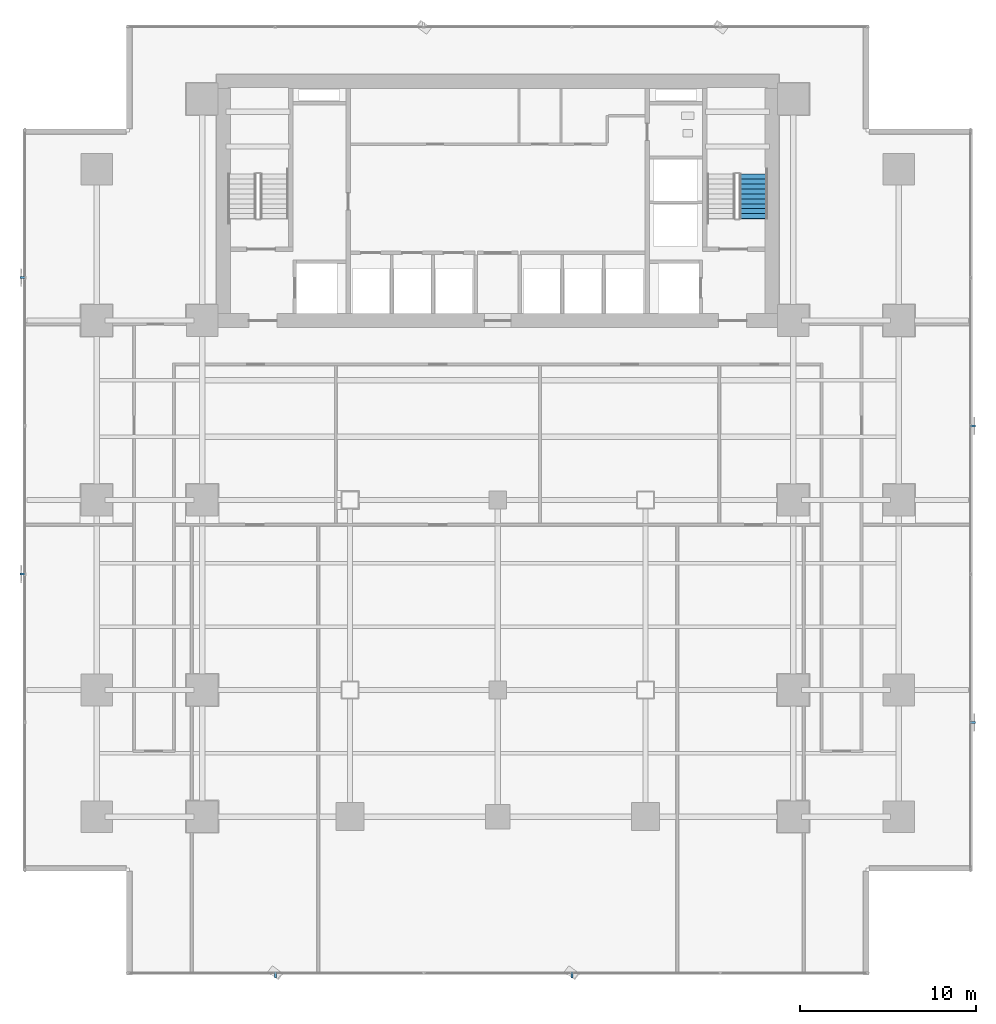
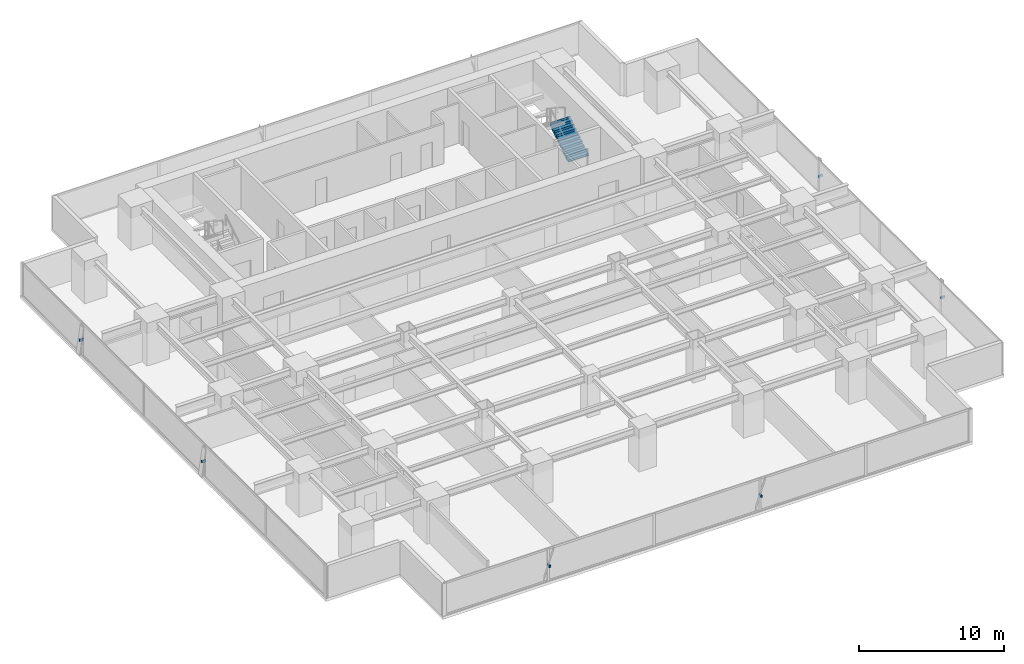
# One storey, part 26 of 32: 6 discrete accessories, 1 stair flight, 1 element without a shape of its own.
"""IFC4 building model written with IfcOpenShell, lengths in metres."""

from ifc_helpers import new_model, si_unit, direction, frame, origin, origin_2d, place, context, subcontext, project, spatial, polyline, rectangle, outline, extrude, source, transform, mapped, material, material_profile, profile_set, type_object, element, aggregate, save


model = new_model("IFC4")

# Units and contexts
model_context = context("Model", 3, precision=1e-05, world=origin(), true_north=direction((0.0, 1.0)))
body_context = subcontext(model_context, "Body", "Model", "MODEL_VIEW")
ifc_project = project(units=[si_unit("LENGTHUNIT", "METRE"), si_unit("AREAUNIT", "SQUARE_METRE"), si_unit("VOLUMEUNIT", "CUBIC_METRE"), si_unit("PLANEANGLEUNIT", "RADIAN"), si_unit("MASSUNIT", "GRAM", prefix="KILO")], contexts=[model_context])

# Site, building, storey
site_placement = place(None, origin())
site = spatial("IfcSite", under=ifc_project, at=site_placement, CompositionType="ELEMENT")
building_placement = place(site_placement, origin())
building = spatial("IfcBuilding", under=site, at=building_placement, Name="Sumidabori Civic Tower", CompositionType="ELEMENT")
storey_placement = place(building_placement, frame((0.0, 0.0, 45.199951171875)))
storey = spatial("IfcBuildingStorey", under=building, at=storey_placement, Name="L11", CompositionType="ELEMENT", Elevation=45.199951171875)

# Stair, stair flight
ifc_material_1 = material(Name="Concrete C40/50", Category="concrete")
stair_type = type_object("IfcStairType", Name="ST-CORE-1600", PredefinedType="HALF_TURN_STAIR", material=ifc_material_1)
stair_placement = place(storey_placement, origin())
stair = element("IfcStair", 1, at=stair_placement, inside=storey, type_object=stair_type, Name="L11 ST-2", PredefinedType="HALF_TURN_STAIR")
stair_flight_type = type_object("IfcStairFlightType", Name="SF-CORE-1600", PredefinedType="STRAIGHT", material=ifc_material_1)
shared_shape_1 = source(origin(), body_context, "Body", "SweptSolid", [
    extrude(outline(polyline([(-0.02490234375, 0.0), (-0.02490234375, 0.0400390625), (0.0, 0.0400390625), (0.0, 0.179931640625), (0.280029296875, 0.179931640625), (0.280029296875, 0.360107421875), (0.56005859375, 0.360107421875), (0.56005859375, 0.5400390625), (0.840087890625, 0.5400390625), (0.840087890625, 0.719970703125), (1.1201171875, 0.719970703125), (1.1201171875, 0.89990234375), (1.39990234375, 0.89990234375), (1.39990234375, 1.080078125), (1.679931640625, 1.080078125), (1.679931640625, 1.260009765625), (1.9599609375, 1.260009765625), (1.9599609375, 1.43994140625), (2.239990234375, 1.43994140625), (2.239990234375, 1.6201171875), (2.52001953125, 1.6201171875), (2.52001953125, 1.800048828125), (2.544921875, 1.800048828125), (2.544921875, 1.650146484375), (2.52001953125, 1.44189453125), (0.277099609375, 0.0), (-0.02490234375, 0.0)])), frame((0.0, 0.800048828125, 0.0), z_axis=(0.0, -1.0, 0.0), x_axis=(1.0, 0.0, 0.0)), (0.0, 0.0, 1.0), 1.60009765625),
])
stair_flight_placement = place(storey_placement, frame((14.5400390625, 16.0, 0.0), z_axis=(0.0, 0.0, 1.0), x_axis=(0.0, 1.0, 0.0)))
stair_flight = element("IfcStairFlight", 2, at=stair_flight_placement, type_object=stair_flight_type, Name="ST-2 flight 1", NumberOfRisers=10, NumberOfTreads=9, PredefinedType="STRAIGHT", RiserHeight=0.18, TreadLength=0.28, context=body_context, shape_type="MappedRepresentation", body=[
    mapped(shared_shape_1, transform((0.0, 0.0, 0.0), x_axis=(1.0, 0.0, 0.0), y_axis=(0.0, 1.0, 0.0), z_axis=(0.0, 0.0, 1.0), scale=1.0)),
])
aggregate(stair, [stair_flight])

# Discrete accessories
ifc_material_2 = material(Name="Stainless Steel Hairline Finish", Category="steel")
ifc_material_profile = material_profile(ifc_material_2, rectangle(XDim=0.1201171875, YDim=0.179931640625, at=origin_2d()), Name="STEEL BRACKET 180x120")
ifc_profile_set = profile_set([ifc_material_profile], Name="Stainless Steel Hairline Finish")
discrete_accessory_type = type_object("IfcDiscreteAccessoryType", Name="AC-BRK-180", PredefinedType="BRACKET", material=ifc_profile_set)
shared_shape_2 = source(origin(), body_context, "Body", "SweptSolid", [
    extrude(rectangle(XDim=0.1201171875, YDim=0.179931640625, at=origin_2d()), origin(), (0.0, 0.0, 1.0), 0.329833984375),
])
for number, where, z_axis, x_axis, name in (
    (3, (-12.64208984375, -26.830078125, 1.360107421875), (0.0, -1.0, 0.0), (1.0, 0.0, 0.0), "Bronze Fin Fixing Bracket L11-01"),
    (4, (4.214111328125, -26.830078125, 1.360107421875), (0.0, -1.0, 0.0), (1.0, 0.0, 0.0), "Bronze Fin Fixing Bracket L11-03"),
    (5, (26.830078125, -12.64208984375, 1.360107421875), (1.0, 0.0, 0.0), (0.0, 1.0, 0.0), "Bronze Fin Fixing Bracket L11-01"),
    (6, (26.830078125, 4.214111328125, 1.360107421875), (1.0, 0.0, 0.0), (0.0, 1.0, 0.0), "Bronze Fin Fixing Bracket L11-03"),
    (7, (-26.830078125, 12.64208984375, 1.360107421875), (-1.0, 0.0, 0.0), (0.0, -1.0, 0.0), "Bronze Fin Fixing Bracket L11-01"),
    (8, (-26.830078125, -4.214111328125, 1.360107421875), (-1.0, 0.0, 0.0), (0.0, -1.0, 0.0), "Bronze Fin Fixing Bracket L11-03"),
):
    element("IfcDiscreteAccessory", number, at=place(storey_placement, frame(where, z_axis=z_axis, x_axis=x_axis)), inside=storey, type_object=discrete_accessory_type, Name=name, PredefinedType="BRACKET", context=body_context, shape_type="MappedRepresentation", body=[
        mapped(shared_shape_2, transform((0.0, 0.0, 0.0), x_axis=(1.0, 0.0, 0.0), y_axis=(0.0, 1.0, 0.0), z_axis=(0.0, 0.0, 1.0), scale=1.0)),
    ])

save(model, "model.ifc")
